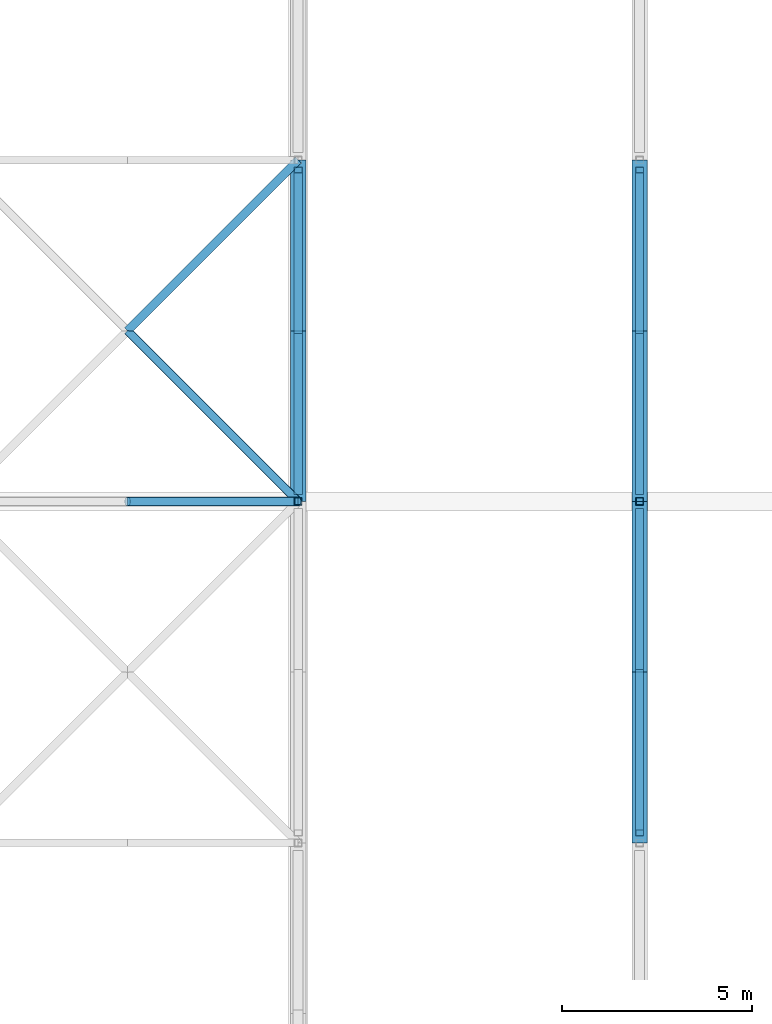
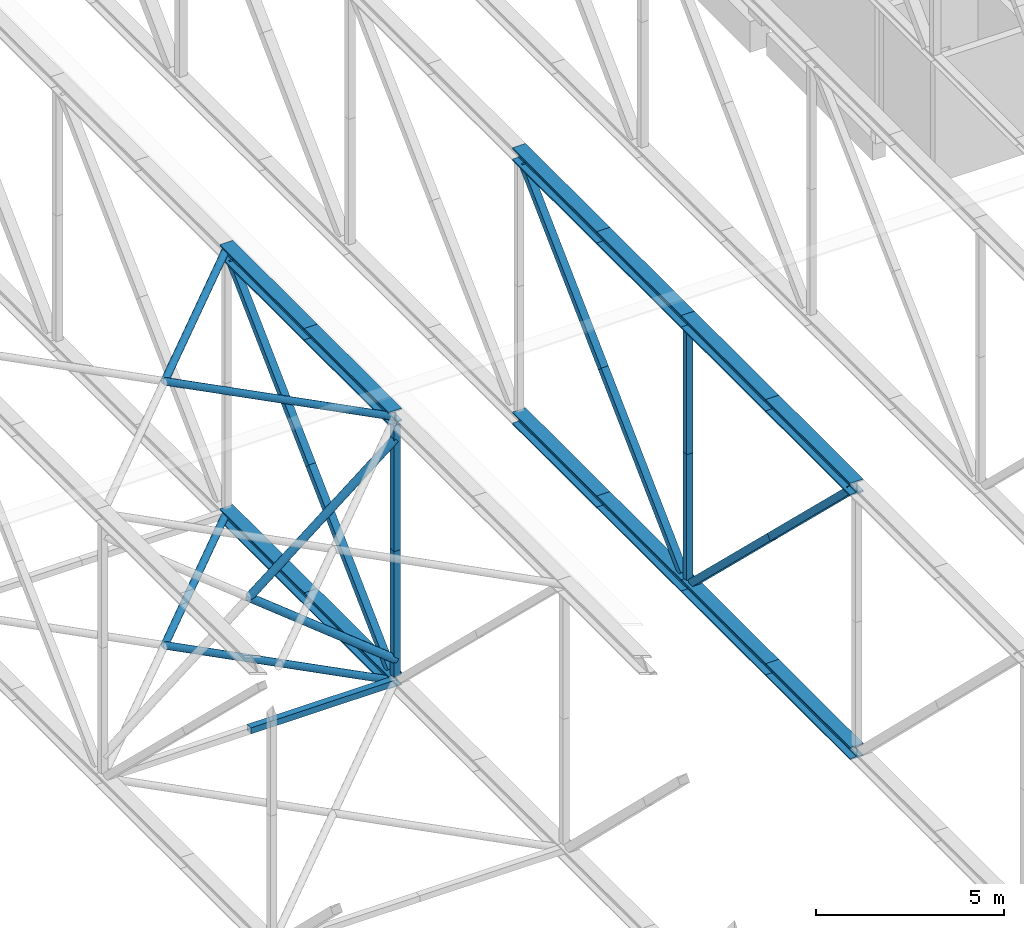
# One storey, part 70 of 646: 29 members.
"""IFC4 building model written with IfcOpenShell, lengths in metres."""

from ifc_helpers import new_model, si_unit, direction, frame, origin, origin_2d, place, context, subcontext, project, spatial, hollow_rectangle, hollow_circle, i_section, extrude, material, material_profile, profile_set, type_object, element, save


model = new_model("IFC4")

# Units and contexts
model_context = context("Model", 3, precision=1e-05, world=origin(), true_north=direction((0.0, 1.0)))
body_context = subcontext(model_context, "Body", "Model", "MODEL_VIEW")
ifc_project = project(units=[si_unit("LENGTHUNIT", "METRE"), si_unit("AREAUNIT", "SQUARE_METRE"), si_unit("VOLUMEUNIT", "CUBIC_METRE"), si_unit("PLANEANGLEUNIT", "RADIAN"), si_unit("MASSUNIT", "GRAM", prefix="KILO")], contexts=[model_context])

# Site, building, storey
site_placement = place(None, origin())
site = spatial("IfcSite", under=ifc_project, at=site_placement, CompositionType="ELEMENT")
building_placement = place(site_placement, origin())
building = spatial("IfcBuilding", under=site, at=building_placement, Name="Silverbay Arena", CompositionType="ELEMENT")
storey_placement = place(building_placement, frame((0.0, 0.0, 33.5)))
storey = spatial("IfcBuildingStorey", under=building, at=storey_placement, Name="L05", CompositionType="ELEMENT", Elevation=33.5)

# Members
ifc_material_1 = material(Name="Steel S355", Category="steel")
ifc_material_profile_1 = material_profile(ifc_material_1, hollow_rectangle(XDim=0.199951171875, YDim=0.199951171875, WallThickness=0.008056640625, at=origin_2d()), Name="SHS 200x200x8")
ifc_profile_set_1 = profile_set([ifc_material_profile_1], Name="Steel S355")
member_type_1 = type_object("IfcMemberType", Name="Bracing strut SHS 200x200x8", PredefinedType="STRUT", material=ifc_profile_set_1)
member_1_placement = place(storey_placement, frame((130.5, 81.0, 4.203125), z_axis=(1.0, 0.0, 0.0), x_axis=(0.0, 1.0, 0.0)))
element("IfcMember", 1, at=member_1_placement, inside=storey, type_object=member_type_1, Name="ROOF BRACING strut 15-16 line 09b", PredefinedType="STRUT", context=body_context, shape_type="SweptSolid", body=[
    extrude(hollow_rectangle(XDim=0.199951171875, YDim=0.199951171875, WallThickness=0.008056640625, at=origin_2d()), origin(), (0.0, 0.0, 1.0), 4.5),
])
ifc_material_2 = material(Name="Steel S355", Category="steel")
ifc_material_profile_2 = material_profile(ifc_material_2, i_section(OverallWidth=0.403076171875, OverallDepth=0.406494140625, WebThickness=0.026611328125, FlangeThickness=0.04296875, at=origin_2d()), Name="UC 356x406x340")
ifc_profile_set_2 = profile_set([ifc_material_profile_2], Name="Steel S355")
member_type_2 = type_object("IfcMemberType", Name="Main-span bottom chord UC 356x406x340", PredefinedType="CHORD", material=ifc_profile_set_2)
for number, where, z_axis, x_axis, name in (
    (2, (135.0, 81.0, 4.203125), (0.0, 1.0, 0.0), (-1.0, 0.0, 0.0), "ROOF TRUSS 16 bottom chord 09a"),
    (3, (135.0, 85.5, 4.203125), (0.0, 1.0, 0.0), (-1.0, 0.0, 0.0), "ROOF TRUSS 16 bottom chord 09b"),
    (4, (144.0, 72.0, 4.203125), (0.0, 1.0, 0.0), (-1.0, 0.0, 0.0), "ROOF TRUSS 17 bottom chord 08a"),
    (5, (144.0, 76.5, 4.203125), (0.0, 1.0, 0.0), (-1.0, 0.0, 0.0), "ROOF TRUSS 17 bottom chord 08b"),
    (6, (144.0, 81.0, 4.203125), (0.0, 1.0, 0.0), (-1.0, 0.0, 0.0), "ROOF TRUSS 17 bottom chord 09a"),
    (7, (144.0, 85.5, 4.203125), (0.0, 1.0, 0.0), (-1.0, 0.0, 0.0), "ROOF TRUSS 17 bottom chord 09b"),
):
    element("IfcMember", number, at=place(storey_placement, frame(where, z_axis=z_axis, x_axis=x_axis)), inside=storey, type_object=member_type_2, Name=name, PredefinedType="CHORD", context=body_context, shape_type="SweptSolid", body=[
        extrude(i_section(OverallWidth=0.403076171875, OverallDepth=0.406494140625, WebThickness=0.026611328125, FlangeThickness=0.04296875, at=origin_2d()), origin(), (0.0, 0.0, 1.0), 4.5),
    ])
ifc_material_3 = material(Name="Steel S355", Category="steel")
ifc_material_profile_3 = material_profile(ifc_material_3, i_section(OverallWidth=0.406982421875, OverallDepth=0.4189453125, WebThickness=0.030517578125, FlangeThickness=0.04931640625, at=origin_2d()), Name="UC 356x406x393")
ifc_profile_set_3 = profile_set([ifc_material_profile_3], Name="Steel S355")
member_type_3 = type_object("IfcMemberType", Name="Main-span top chord UC 356x406x393", PredefinedType="CHORD", material=ifc_profile_set_3)
for number, where, z_axis, x_axis, name in (
    (8, (135.0, 81.0, 12.79052734375), (0.0, 1.0, 0.0), (-1.0, 0.0, 0.0), "ROOF TRUSS 16 top chord 09a"),
    (9, (135.0, 85.5, 12.79052734375), (0.0, 1.0, 0.0), (-1.0, 0.0, 0.0), "ROOF TRUSS 16 top chord 09b"),
    (10, (144.0, 72.0, 12.79052734375), (0.0, 1.0, 0.0), (-1.0, 0.0, 0.0), "ROOF TRUSS 17 top chord 08a"),
    (11, (144.0, 76.5, 12.79052734375), (0.0, 1.0, 0.0), (-1.0, 0.0, 0.0), "ROOF TRUSS 17 top chord 08b"),
    (12, (144.0, 81.0, 12.79052734375), (0.0, 1.0, 0.0), (-1.0, 0.0, 0.0), "ROOF TRUSS 17 top chord 09a"),
    (13, (144.0, 85.5, 12.79052734375), (0.0, 1.0, 0.0), (-1.0, 0.0, 0.0), "ROOF TRUSS 17 top chord 09b"),
):
    element("IfcMember", number, at=place(storey_placement, frame(where, z_axis=z_axis, x_axis=x_axis)), inside=storey, type_object=member_type_3, Name=name, PredefinedType="CHORD", context=body_context, shape_type="SweptSolid", body=[
        extrude(i_section(OverallWidth=0.406982421875, OverallDepth=0.4189453125, WebThickness=0.030517578125, FlangeThickness=0.04931640625, at=origin_2d()), origin(), (0.0, 0.0, 1.0), 4.5),
    ])
ifc_material_4 = material(Name="Steel S355", Category="steel")
ifc_material_profile_4 = material_profile(ifc_material_4, hollow_rectangle(XDim=0.219970703125, YDim=0.219970703125, WallThickness=0.010009765625, at=origin_2d()), Name="SHS 220x220x10")
ifc_profile_set_4 = profile_set([ifc_material_profile_4], Name="Steel S355")
member_type_4 = type_object("IfcMemberType", Name="Main-span truss diagonal SHS 220x220x10", PredefinedType="BRACE", material=ifc_profile_set_4)
member_2_placement = place(storey_placement, frame((135.0, 89.736328125, 12.5810546875), z_axis=(0.0, -0.719642957034, -0.694344305364), x_axis=(1.0, 0.0, 0.0)))
element("IfcMember", 14, at=member_2_placement, inside=storey, type_object=member_type_4, Name="ROOF TRUSS 16 diagonal 09a", PredefinedType="BRACE", context=body_context, shape_type="SweptSolid", body=[
    extrude(hollow_rectangle(XDim=0.219970703125, YDim=0.219970703125, WallThickness=0.010009765625, at=origin_2d()), origin(), (0.0, 0.0, 1.0), 5.88671875),
])
member_3_placement = place(storey_placement, frame((135.0, 85.5, 8.49365234375), z_axis=(0.0, -0.719663680638, -0.694322826047), x_axis=(1.0, 0.0, 0.0)))
element("IfcMember", 15, at=member_3_placement, inside=storey, type_object=member_type_4, Name="ROOF TRUSS 16 diagonal 09b", PredefinedType="BRACE", context=body_context, shape_type="SweptSolid", body=[
    extrude(hollow_rectangle(XDim=0.219970703125, YDim=0.219970703125, WallThickness=0.010009765625, at=origin_2d()), origin(), (0.0, 0.0, 1.0), 5.886474609375),
])
member_4_placement = place(storey_placement, frame((144.0, 72.263671875, 12.5810546875), z_axis=(0.0, 0.719642957034, -0.694344305364), x_axis=(-1.0, 0.0, 0.0)))
element("IfcMember", 16, at=member_4_placement, inside=storey, type_object=member_type_4, Name="ROOF TRUSS 17 diagonal 08a", PredefinedType="BRACE", context=body_context, shape_type="SweptSolid", body=[
    extrude(hollow_rectangle(XDim=0.219970703125, YDim=0.219970703125, WallThickness=0.010009765625, at=origin_2d()), origin(), (0.0, 0.0, 1.0), 5.88671875),
])
member_5_placement = place(storey_placement, frame((144.0, 76.5, 8.49365234375), z_axis=(0.0, 0.719663680638, -0.694322826047), x_axis=(-1.0, 0.0, 0.0)))
element("IfcMember", 17, at=member_5_placement, inside=storey, type_object=member_type_4, Name="ROOF TRUSS 17 diagonal 08b", PredefinedType="BRACE", context=body_context, shape_type="SweptSolid", body=[
    extrude(hollow_rectangle(XDim=0.219970703125, YDim=0.219970703125, WallThickness=0.010009765625, at=origin_2d()), origin(), (0.0, 0.0, 1.0), 5.886474609375),
])
member_6_placement = place(storey_placement, frame((144.0, 89.736328125, 12.5810546875), z_axis=(0.0, -0.719642957034, -0.694344305364), x_axis=(1.0, 0.0, 0.0)))
element("IfcMember", 18, at=member_6_placement, inside=storey, type_object=member_type_4, Name="ROOF TRUSS 17 diagonal 09a", PredefinedType="BRACE", context=body_context, shape_type="SweptSolid", body=[
    extrude(hollow_rectangle(XDim=0.219970703125, YDim=0.219970703125, WallThickness=0.010009765625, at=origin_2d()), origin(), (0.0, 0.0, 1.0), 5.88671875),
])
member_7_placement = place(storey_placement, frame((144.0, 85.5, 8.49365234375), z_axis=(0.0, -0.719663680638, -0.694322826047), x_axis=(1.0, 0.0, 0.0)))
element("IfcMember", 19, at=member_7_placement, inside=storey, type_object=member_type_4, Name="ROOF TRUSS 17 diagonal 09b", PredefinedType="BRACE", context=body_context, shape_type="SweptSolid", body=[
    extrude(hollow_rectangle(XDim=0.219970703125, YDim=0.219970703125, WallThickness=0.010009765625, at=origin_2d()), origin(), (0.0, 0.0, 1.0), 5.886474609375),
])
ifc_material_5 = material(Name="Steel S355", Category="steel")
ifc_material_profile_5 = material_profile(ifc_material_5, hollow_rectangle(XDim=0.199951171875, YDim=0.199951171875, WallThickness=0.008056640625, at=origin_2d()), Name="SHS 200x200x8")
ifc_profile_set_5 = profile_set([ifc_material_profile_5], Name="Steel S355")
member_type_5 = type_object("IfcMemberType", Name="Main-span truss vertical SHS 200x200x8", PredefinedType="STRUT", material=ifc_profile_set_5)
member_8_placement = place(storey_placement, frame((135.0, 81.0, 4.406494140625), z_axis=(0.0, 0.0, 1.0), x_axis=(1.0, 0.0, 0.0)))
element("IfcMember", 20, at=member_8_placement, inside=storey, type_object=member_type_5, Name="ROOF TRUSS 16 vertical 09a", PredefinedType="STRUT", context=body_context, shape_type="SweptSolid", body=[
    extrude(hollow_rectangle(XDim=0.199951171875, YDim=0.199951171875, WallThickness=0.008056640625, at=origin_2d()), origin(), (0.0, 0.0, 1.0), 4.087158203125),
])
member_9_placement = place(storey_placement, frame((135.0, 81.0, 8.49365234375), z_axis=(0.0, 0.0, 1.0), x_axis=(1.0, 0.0, 0.0)))
element("IfcMember", 21, at=member_9_placement, inside=storey, type_object=member_type_5, Name="ROOF TRUSS 16 vertical 09b", PredefinedType="STRUT", context=body_context, shape_type="SweptSolid", body=[
    extrude(hollow_rectangle(XDim=0.199951171875, YDim=0.199951171875, WallThickness=0.008056640625, at=origin_2d()), origin(), (0.0, 0.0, 1.0), 4.08740234375),
])
member_10_placement = place(storey_placement, frame((144.0, 81.0, 4.406494140625), z_axis=(0.0, 0.0, 1.0), x_axis=(1.0, 0.0, 0.0)))
element("IfcMember", 22, at=member_10_placement, inside=storey, type_object=member_type_5, Name="ROOF TRUSS 17 vertical 09a", PredefinedType="STRUT", context=body_context, shape_type="SweptSolid", body=[
    extrude(hollow_rectangle(XDim=0.199951171875, YDim=0.199951171875, WallThickness=0.008056640625, at=origin_2d()), origin(), (0.0, 0.0, 1.0), 4.087158203125),
])
member_11_placement = place(storey_placement, frame((144.0, 81.0, 8.49365234375), z_axis=(0.0, 0.0, 1.0), x_axis=(1.0, 0.0, 0.0)))
element("IfcMember", 23, at=member_11_placement, inside=storey, type_object=member_type_5, Name="ROOF TRUSS 17 vertical 09b", PredefinedType="STRUT", context=body_context, shape_type="SweptSolid", body=[
    extrude(hollow_rectangle(XDim=0.199951171875, YDim=0.199951171875, WallThickness=0.008056640625, at=origin_2d()), origin(), (0.0, 0.0, 1.0), 4.08740234375),
])
ifc_material_6 = material(Name="Steel S355", Category="steel")
ifc_material_profile_6 = material_profile(ifc_material_6, hollow_circle(Radius=0.109619140625, WallThickness=0.00634765625, at=origin_2d()), Name="CHS 219.1x6.3")
ifc_profile_set_6 = profile_set([ifc_material_profile_6], Name="Steel S355")
member_type_6 = type_object("IfcMemberType", Name="Plan bracing CHS 219.1x6.3", PredefinedType="BRACE", material=ifc_profile_set_6)
for number, where, z_axis, x_axis, name in (
    (24, (130.5, 85.5, 12.79052734375), (0.707106781187, 0.707106781187, 0.0), (-0.707106781187, 0.707106781187, 0.0), "ROOF BRACING top 15-16 panel 09 Ab"),
    (25, (130.5, 85.5, 12.79052734375), (0.707106781187, -0.707106781187, 0.0), (0.707106781187, 0.707106781187, 0.0), "ROOF BRACING top 15-16 panel 09 Bb"),
    (26, (130.5, 85.5, 4.203125), (0.707106781187, 0.707106781187, 0.0), (-0.707106781187, 0.707106781187, 0.0), "ROOF BRACING bottom 15-16 panel 09 Ab"),
    (27, (130.5, 85.5, 4.203125), (0.707106781187, -0.707106781187, 0.0), (0.707106781187, 0.707106781187, 0.0), "ROOF BRACING bottom 15-16 panel 09 Bb"),
):
    element("IfcMember", number, at=place(storey_placement, frame(where, z_axis=z_axis, x_axis=x_axis)), inside=storey, type_object=member_type_6, Name=name, PredefinedType="BRACE", context=body_context, shape_type="SweptSolid", body=[
        extrude(hollow_circle(Radius=0.109619140625, WallThickness=0.00634765625, at=origin_2d()), origin(), (0.0, 0.0, 1.0), 6.364013671875),
    ])
ifc_material_7 = material(Name="Steel S355", Category="steel")
ifc_material_profile_7 = material_profile(ifc_material_7, hollow_circle(Radius=0.122314453125, WallThickness=0.00634765625, at=origin_2d()), Name="CHS 244.5x6.3")
ifc_profile_set_7 = profile_set([ifc_material_profile_7], Name="Steel S355")
member_type_7 = type_object("IfcMemberType", Name="Vertical bracing CHS 244.5x6.3", PredefinedType="BRACE", material=ifc_profile_set_7)
for number, where, z_axis, x_axis, name in (
    (28, (130.5, 81.0, 8.49365234375), (0.781935479439, 0.0, 0.623359371467), (0.0, 1.0, 0.0), "ROOF BRACING vertical 15-16 line 09 Ab"),
    (29, (130.5, 81.0, 8.49365234375), (0.781956157524, 0.0, -0.62333343221), (0.0, 1.0, 0.0), "ROOF BRACING vertical 15-16 line 09 Bb"),
):
    element("IfcMember", number, at=place(storey_placement, frame(where, z_axis=z_axis, x_axis=x_axis)), inside=storey, type_object=member_type_7, Name=name, PredefinedType="BRACE", context=body_context, shape_type="SweptSolid", body=[
        extrude(hollow_circle(Radius=0.122314453125, WallThickness=0.00634765625, at=origin_2d()), origin(), (0.0, 0.0, 1.0), 5.7548828125),
    ])

save(model, "model.ifc")
